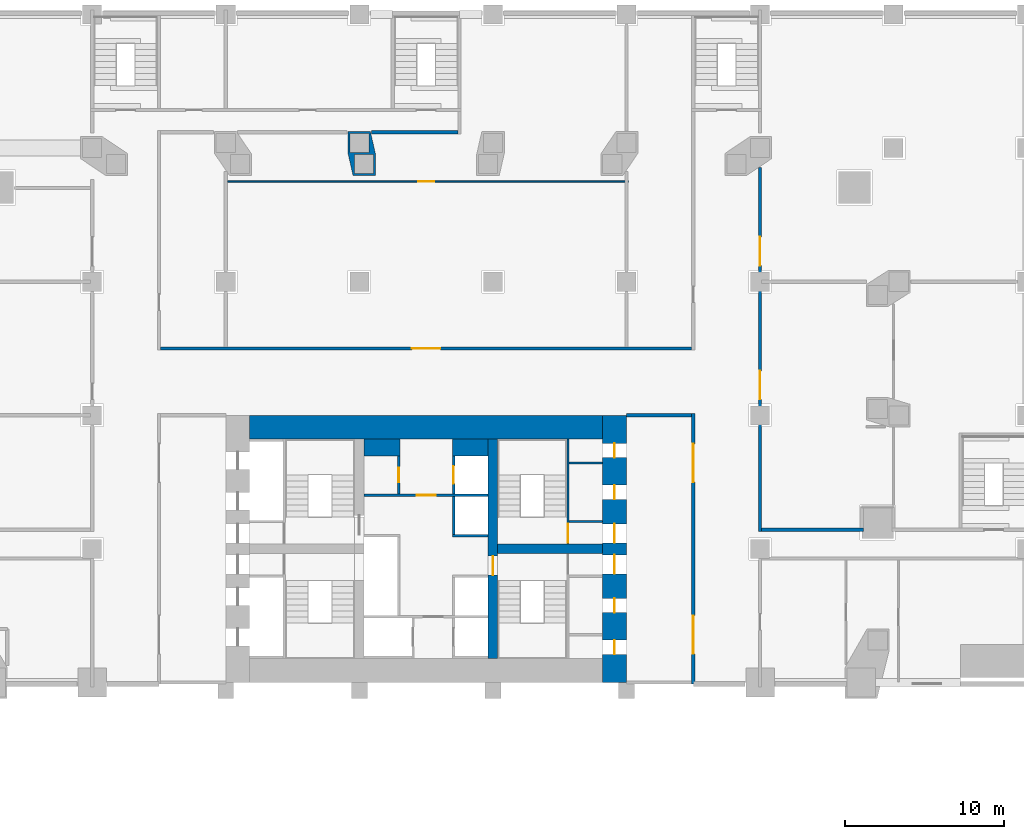
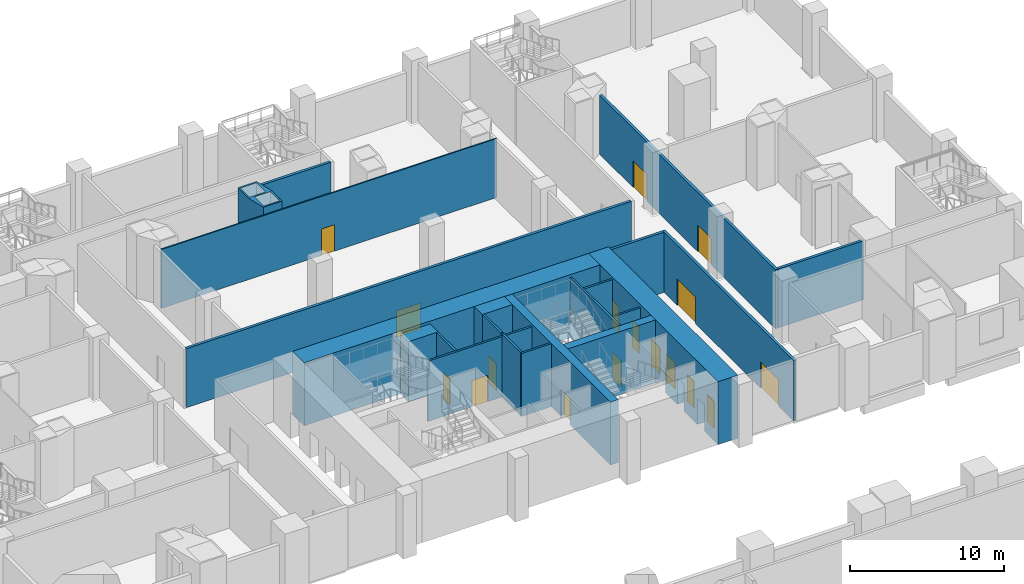
# One storey, part 7 of 16: 22 walls, 17 doors, 17 openings.
"""IFC4 building model written with IfcOpenShell, lengths in metres."""

from ifc_helpers import new_model, si_unit, direction, frame, frame_2d, origin, place, context, subcontext, project, spatial, polyline, rectangle, outline, extrude, material, layer, layer_set, type_object, element, fill, save


model = new_model("IFC4")

# Units and contexts
model_context = context("Model", 3, precision=1e-05, world=origin(), true_north=direction((0.0, 1.0)))
body_context = subcontext(model_context, "Body", "Model", "MODEL_VIEW")
ifc_project = project(units=[si_unit("LENGTHUNIT", "METRE"), si_unit("AREAUNIT", "SQUARE_METRE"), si_unit("VOLUMEUNIT", "CUBIC_METRE"), si_unit("PLANEANGLEUNIT", "RADIAN"), si_unit("MASSUNIT", "GRAM", prefix="KILO")], contexts=[model_context])

# Site, building, storey
site_placement = place(None, origin())
site = spatial("IfcSite", under=ifc_project, at=site_placement, CompositionType="ELEMENT")
building_placement = place(site_placement, origin())
building = spatial("IfcBuilding", under=site, at=building_placement, Name="Marenta Gate Hotel Tower", CompositionType="ELEMENT")
storey_placement = place(building_placement, frame((0.0, 0.0, 21.0)))
storey = spatial("IfcBuildingStorey", under=building, at=storey_placement, Name="L03", CompositionType="ELEMENT", Elevation=21.0)

# Wall, openings, doors
ifc_material_1 = material(Name="Concrete blockwork", Category="masonry")
ifc_layer_1 = layer(ifc_material_1, 0.199951171875)
ifc_layer_set_1 = layer_set([ifc_layer_1], Name="Concrete blockwork")
wall_type_1 = type_object("IfcWallType", Name="Core boundary wall 200 REI 180", PredefinedType="PARTITIONING", material=ifc_layer_set_1)
wall_1_placement = place(storey_placement, frame((16.800048828125, -0.10009765625, 0.0), z_axis=(0.0, 0.0, 1.0), x_axis=(0.0, 1.0, 0.0)))
wall_1 = element("IfcWall", 1, at=wall_1_placement, inside=storey, type_object=wall_type_1, Name="L03-CP-BW-E", PredefinedType="PARTITIONING", context=body_context, shape_type="SweptSolid", body=[
    extrude(rectangle(XDim=17.0, YDim=0.199951171875, at=frame_2d((8.5, 0.0))), origin(), (0.0, 0.0, 1.0), 4.780029296875),
])
opening_1_placement = place(wall_1_placement, frame((1.89990234375, 0.0, 0.0)))
opening_1 = element("IfcOpeningElement", 2, at=opening_1_placement, cuts=wall_1, Name="Opening ED-Ea-A", PredefinedType="OPENING", context=body_context, shape_type="SweptSolid", body=[
    extrude(rectangle(XDim=2.39990234375, YDim=2.10009765625, at=frame_2d((1.199951171875, 1.050048828125))), frame((0.0, 0.10009765625, 0.0), z_axis=(0.0, -1.0, 0.0), x_axis=(1.0, 0.0, 0.0)), (0.0, 0.0, 1.0), 0.199951171875),
])
opening_2_placement = place(wall_1_placement, frame((12.699951171875, 0.0, 0.0)))
opening_2 = element("IfcOpeningElement", 3, at=opening_2_placement, cuts=wall_1, Name="Opening ED-Eb-A", PredefinedType="OPENING", context=body_context, shape_type="SweptSolid", body=[
    extrude(rectangle(XDim=2.39990234375, YDim=2.10009765625, at=frame_2d((1.199951171875, 1.050048828125))), frame((0.0, 0.10009765625, 0.0), z_axis=(0.0, -1.0, 0.0), x_axis=(1.0, 0.0, 0.0)), (0.0, 0.0, 1.0), 0.199951171875),
])
ifc_material_2 = material(Name="Steel", Category="steel")
door_type_1 = type_object("IfcDoorType", Name="Core lobby entrance door 2400x2100 EI 60", OperationType="DOUBLE_DOOR_SINGLE_SWING", PredefinedType="DOOR", material=ifc_material_2)
door_1_placement = place(opening_1_placement, origin())
door_1 = element("IfcDoor", 4, at=door_1_placement, inside=storey, type_object=door_type_1, Name="ED-Ea-A", OperationType="DOUBLE_DOOR_SINGLE_SWING", OverallHeight=2.10009765625, OverallWidth=2.39990234375, PredefinedType="DOOR", context=body_context, shape_type="SweptSolid", body=[
    extrude(rectangle(XDim=2.39990234375, YDim=2.10009765625, at=frame_2d((1.199951171875, 1.050048828125))), frame((0.0, 0.02490234375, 0.0), z_axis=(0.0, -1.0, 0.0), x_axis=(1.0, 0.0, 0.0)), (0.0, 0.0, 1.0), 0.050048828125),
])
fill(opening_1, door_1)
door_2_placement = place(opening_2_placement, origin())
door_2 = element("IfcDoor", 5, at=door_2_placement, inside=storey, type_object=door_type_1, Name="ED-Eb-A", OperationType="DOUBLE_DOOR_SINGLE_SWING", OverallHeight=2.10009765625, OverallWidth=2.39990234375, PredefinedType="DOOR", context=body_context, shape_type="SweptSolid", body=[
    extrude(rectangle(XDim=2.39990234375, YDim=2.10009765625, at=frame_2d((1.199951171875, 1.050048828125))), frame((0.0, 0.02490234375, 0.0), z_axis=(0.0, -1.0, 0.0), x_axis=(1.0, 0.0, 0.0)), (0.0, 0.0, 1.0), 0.050048828125),
])
fill(opening_2, door_2)

# Wall
wall_2_placement = place(storey_placement, frame((12.60009765625, 16.800048828125, 0.0), z_axis=(0.0, 0.0, 1.0), x_axis=(1.0, 0.0, 0.0)))
element("IfcWall", 6, at=wall_2_placement, inside=storey, type_object=wall_type_1, Name="L03-CP-EW-EN", PredefinedType="PARTITIONING", context=body_context, shape_type="SweptSolid", body=[
    extrude(rectangle(XDim=4.099853515625, YDim=0.199951171875, at=frame_2d((2.0498046875, 0.0))), origin(), (0.0, 0.0, 1.0), 4.780029296875),
])

# Wall, opening, door
ifc_material_3 = material(Name="Concrete blockwork", Category="masonry")
ifc_layer_2 = layer(ifc_material_3, 0.14990234375)
ifc_layer_set_2 = layer_set([ifc_layer_2], Name="Concrete blockwork")
wall_type_2 = type_object("IfcWallType", Name="Core lobby partition 150 REI 180", PredefinedType="PARTITIONING", material=ifc_layer_set_2)
wall_3_placement = place(storey_placement, frame((-3.89990234375, 11.77490234375, 0.0), z_axis=(0.0, 0.0, 1.0), x_axis=(1.0, 0.0, 0.0)))
wall_3 = element("IfcWall", 7, at=wall_3_placement, inside=storey, type_object=wall_type_2, Name="L03-CP-CW-N", PredefinedType="PARTITIONING", context=body_context, shape_type="SweptSolid", body=[
    extrude(rectangle(XDim=7.7998046875, YDim=0.14990234375, at=frame_2d((3.89990234375, 0.0))), origin(), (0.0, 0.0, 1.0), 4.780029296875),
])
opening_3_placement = place(wall_3_placement, frame((3.300048828125, 0.0, 0.0)))
opening_3 = element("IfcOpeningElement", 8, at=opening_3_placement, cuts=wall_3, Name="Opening FD-FFN", PredefinedType="OPENING", context=body_context, shape_type="SweptSolid", body=[
    extrude(rectangle(XDim=1.199951171875, YDim=2.10009765625, at=frame_2d((0.60009765625, 1.050048828125))), frame((0.0, 0.074951171875, 0.0), z_axis=(0.0, -1.0, 0.0), x_axis=(1.0, 0.0, 0.0)), (0.0, 0.0, 1.0), 0.14990234375),
])
ifc_material_4 = material(Name="Steel", Category="steel")
door_type_2 = type_object("IfcDoorType", Name="Core lobby door 1200x2100 FD60", OperationType="SINGLE_SWING_LEFT", PredefinedType="DOOR", material=ifc_material_4)
door_3_placement = place(opening_3_placement, origin())
door_3 = element("IfcDoor", 9, at=door_3_placement, inside=storey, type_object=door_type_2, Name="FD-FFN", OperationType="SINGLE_SWING_LEFT", OverallHeight=2.10009765625, OverallWidth=1.199951171875, PredefinedType="DOOR", context=body_context, shape_type="SweptSolid", body=[
    extrude(rectangle(XDim=1.199951171875, YDim=2.10009765625, at=frame_2d((0.60009765625, 1.050048828125))), frame((0.0, 0.02490234375, 0.0), z_axis=(0.0, -1.0, 0.0), x_axis=(1.0, 0.0, 0.0)), (0.0, 0.0, 1.0), 0.050048828125),
])
fill(opening_3, door_3)

# Walls
ifc_material_5 = material(Name="Concrete blockwork", Category="masonry")
ifc_layer_3 = layer(ifc_material_5, 1.050048828125)
ifc_layer_set_3 = layer_set([ifc_layer_3], Name="Concrete blockwork")
wall_type_3 = type_object("IfcWallType", Name="Core room partition 1050 REI 180", PredefinedType="PARTITIONING", material=ifc_layer_set_3)
wall_4_placement = place(storey_placement, frame((-3.89990234375, 14.77490234375, 0.0), z_axis=(0.0, 0.0, 1.0), x_axis=(1.0, 0.0, 0.0)))
element("IfcWall", 10, at=wall_4_placement, inside=storey, type_object=wall_type_3, Name="L03-CP-CW-W-riser-N", PredefinedType="PARTITIONING", context=body_context, shape_type="SweptSolid", body=[
    extrude(rectangle(XDim=2.25, YDim=1.050048828125, at=frame_2d((1.125, 0.0))), origin(), (0.0, 0.0, 1.0), 4.780029296875),
])
ifc_material_6 = material(Name="Concrete blockwork", Category="masonry")
ifc_layer_4 = layer(ifc_material_6, 0.14990234375)
ifc_layer_set_4 = layer_set([ifc_layer_4], Name="Concrete blockwork")
wall_type_4 = type_object("IfcWallType", Name="Core room partition 150 REI 180", PredefinedType="PARTITIONING", material=ifc_layer_set_4)
for number, where, z_axis, x_axis, name in (
    (11, (9.0, 10.125, 0.0), (0.0, 0.0, 1.0), (1.0, 0.0, 0.0), "L03-CP-SW-EN-2"),
    (12, (9.0, 13.800048828125, 0.0), (0.0, 0.0, 1.0), (1.0, 0.0, 0.0), "L03-CP-RW-EN-1"),
):
    element("IfcWall", number, at=place(storey_placement, frame(where, z_axis=z_axis, x_axis=x_axis)), inside=storey, type_object=wall_type_4, Name=name, PredefinedType="PARTITIONING", context=body_context, shape_type="SweptSolid", body=[
        extrude(rectangle(XDim=2.10009765625, YDim=0.14990234375, at=frame_2d((1.050048828125, 0.0))), origin(), (0.0, 0.0, 1.0), 4.780029296875),
    ])

# Wall, opening, door
wall_5_placement = place(storey_placement, frame((-1.72509765625, 11.85009765625, 0.0), z_axis=(0.0, 0.0, 1.0), x_axis=(0.0, 1.0, 0.0)))
wall_5 = element("IfcWall", 13, at=wall_5_placement, inside=storey, type_object=wall_type_4, Name="L03-CP-CW-W-riser-front", PredefinedType="PARTITIONING", context=body_context, shape_type="SweptSolid", body=[
    extrude(rectangle(XDim=2.39990234375, YDim=0.14990234375, at=frame_2d((1.199951171875, 0.0))), origin(), (0.0, 0.0, 1.0), 4.780029296875),
])
opening_4_placement = place(wall_5_placement, frame((0.75, 0.0, 0.0)))
opening_4 = element("IfcOpeningElement", 14, at=opening_4_placement, cuts=wall_5, Name="Opening RD-CRISER", PredefinedType="OPENING", context=body_context, shape_type="SweptSolid", body=[
    extrude(rectangle(XDim=0.89990234375, YDim=2.10009765625, at=frame_2d((0.449951171875, 1.050048828125))), frame((0.0, 0.074951171875, 0.0), z_axis=(0.0, -1.0, 0.0), x_axis=(1.0, 0.0, 0.0)), (0.0, 0.0, 1.0), 0.14990234375),
])
ifc_material_7 = material(Name="Steel", Category="steel")
door_type_3 = type_object("IfcDoorType", Name="Core riser door 900x2100 FD60", OperationType="SINGLE_SWING_LEFT", PredefinedType="DOOR", material=ifc_material_7)
door_4_placement = place(opening_4_placement, origin())
door_4 = element("IfcDoor", 15, at=door_4_placement, inside=storey, type_object=door_type_3, Name="RD-CRISER", OperationType="SINGLE_SWING_LEFT", OverallHeight=2.10009765625, OverallWidth=0.89990234375, PredefinedType="DOOR", context=body_context, shape_type="SweptSolid", body=[
    extrude(rectangle(XDim=0.89990234375, YDim=2.10009765625, at=frame_2d((0.449951171875, 1.050048828125))), frame((0.0, 0.02490234375, 0.0), z_axis=(0.0, -1.0, 0.0), x_axis=(1.0, 0.0, 0.0)), (0.0, 0.0, 1.0), 0.050048828125),
])
fill(opening_4, door_4)

# Wall
ifc_material_8 = material(Name="Concrete C40", Category="concrete")
ifc_layer_5 = layer(ifc_material_8, 1.050048828125)
ifc_layer_set_5 = layer_set([ifc_layer_5], Name="Concrete C40")
wall_type_5 = type_object("IfcWallType", Name="Core shaft wall 1050 REI 180", PredefinedType="SHEAR", material=ifc_layer_set_5)
wall_6_placement = place(storey_placement, frame((1.64990234375, 14.77490234375, 0.0), z_axis=(0.0, 0.0, 1.0), x_axis=(1.0, 0.0, 0.0)))
element("IfcWall", 16, at=wall_6_placement, inside=storey, type_object=wall_type_5, Name="L03-SHF-CE-N-top", PredefinedType="SHEAR", context=body_context, shape_type="SweptSolid", body=[
    extrude(rectangle(XDim=2.25, YDim=1.050048828125, at=frame_2d((1.125, 0.0))), origin(), (0.0, 0.0, 1.0), 5.0),
])

# Wall, opening, door
ifc_material_9 = material(Name="Concrete C40", Category="concrete")
ifc_layer_6 = layer(ifc_material_9, 0.14990234375)
ifc_layer_set_6 = layer_set([ifc_layer_6], Name="Concrete C40")
wall_type_6 = type_object("IfcWallType", Name="Core shaft wall 150 REI 180", PredefinedType="SHEAR", material=ifc_layer_set_6)
wall_7_placement = place(storey_placement, frame((1.72509765625, 11.85009765625, 0.0), z_axis=(0.0, 0.0, 1.0), x_axis=(0.0, 1.0, 0.0)))
wall_7 = element("IfcWall", 17, at=wall_7_placement, inside=storey, type_object=wall_type_6, Name="L03-SHF-CE-N-front2", PredefinedType="SHEAR", context=body_context, shape_type="SweptSolid", body=[
    extrude(rectangle(XDim=2.39990234375, YDim=0.14990234375, at=frame_2d((1.199951171875, 0.0))), origin(), (0.0, 0.0, 1.0), 5.0),
])
opening_5_placement = place(wall_7_placement, frame((0.64990234375, 0.0, 0.0)))
opening_5 = element("IfcOpeningElement", 18, at=opening_5_placement, cuts=wall_7, Name="Opening LD-FF2", PredefinedType="OPENING", context=body_context, shape_type="SweptSolid", body=[
    extrude(rectangle(XDim=1.10009765625, YDim=2.10009765625, at=frame_2d((0.550048828125, 1.050048828125))), frame((0.0, 0.074951171875, 0.0), z_axis=(0.0, -1.0, 0.0), x_axis=(1.0, 0.0, 0.0)), (0.0, 0.0, 1.0), 0.14990234375),
])
ifc_material_10 = material(Name="Steel", Category="steel")
door_type_4 = type_object("IfcDoorType", Name="Core lift landing door 1100x2100 E 60", OperationType="SLIDING_TO_LEFT", PredefinedType="DOOR", material=ifc_material_10)
door_5_placement = place(opening_5_placement, origin())
door_5 = element("IfcDoor", 19, at=door_5_placement, inside=storey, type_object=door_type_4, Name="LD-FF2", OperationType="SLIDING_TO_LEFT", OverallHeight=2.10009765625, OverallWidth=1.10009765625, PredefinedType="DOOR", context=body_context, shape_type="SweptSolid", body=[
    extrude(rectangle(XDim=1.10009765625, YDim=2.10009765625, at=frame_2d((0.550048828125, 1.050048828125))), frame((0.0, 0.02490234375, 0.0), z_axis=(0.0, -1.0, 0.0), x_axis=(1.0, 0.0, 0.0)), (0.0, 0.0, 1.0), 0.050048828125),
])
fill(opening_5, door_5)

# Walls
wall_8_placement = place(storey_placement, frame((1.64990234375, 9.22509765625, 0.0), z_axis=(0.0, 0.0, 1.0), x_axis=(1.0, 0.0, 0.0)))
element("IfcWall", 20, at=wall_8_placement, inside=storey, type_object=wall_type_6, Name="L03-SHF-CE-sep2", PredefinedType="SHEAR", context=body_context, shape_type="SweptSolid", body=[
    extrude(rectangle(XDim=2.25, YDim=0.14990234375, at=frame_2d((1.125, 0.0))), origin(), (0.0, 0.0, 1.0), 5.0),
])
wall_9_placement = place(storey_placement, frame((1.72509765625, 9.300048828125, 0.0), z_axis=(0.0, 0.0, 1.0), x_axis=(0.0, 1.0, 0.0)))
element("IfcWall", 21, at=wall_9_placement, inside=storey, type_object=wall_type_6, Name="L03-SHF-CE-front-2", PredefinedType="SHEAR", context=body_context, shape_type="SweptSolid", body=[
    extrude(rectangle(XDim=2.39990234375, YDim=0.14990234375, at=frame_2d((1.199951171875, 0.0))), origin(), (0.0, 0.0, 1.0), 5.0),
])

# Wall, opening, door
ifc_material_11 = material(Name="Concrete C40", Category="concrete")
ifc_layer_7 = layer(ifc_material_11, 0.14990234375)
ifc_layer_set_7 = layer_set([ifc_layer_7], Name="Concrete C40")
wall_type_7 = type_object("IfcWallType", Name="Core stair enclosure wall 150 REI 180", PredefinedType="SHEAR", material=ifc_layer_set_7)
wall_10_placement = place(storey_placement, frame((8.925048828125, 8.699951171875, 0.0), z_axis=(0.0, 0.0, 1.0), x_axis=(0.0, 1.0, 0.0)))
wall_10 = element("IfcWall", 22, at=wall_10_placement, inside=storey, type_object=wall_type_7, Name="L03-SHF-SW-EN-3", PredefinedType="SHEAR", context=body_context, shape_type="SweptSolid", body=[
    extrude(rectangle(XDim=6.60009765625, YDim=0.14990234375, at=frame_2d((3.300048828125, 0.0))), origin(), (0.0, 0.0, 1.0), 4.780029296875),
])
opening_6_placement = place(wall_10_placement, frame((0.074951171875, 0.0, 0.0)))
opening_6 = element("IfcOpeningElement", 23, at=opening_6_placement, cuts=wall_10, Name="Opening SD-EN", PredefinedType="OPENING", context=body_context, shape_type="SweptSolid", body=[
    extrude(rectangle(XDim=1.199951171875, YDim=2.10009765625, at=frame_2d((0.60009765625, 1.050048828125))), frame((0.0, 0.074951171875, 0.0), z_axis=(0.0, -1.0, 0.0), x_axis=(1.0, 0.0, 0.0)), (0.0, 0.0, 1.0), 0.14990234375),
])
ifc_material_12 = material(Name="Steel", Category="steel")
door_type_5 = type_object("IfcDoorType", Name="Core stair door 1200x2100 FD60", OperationType="SINGLE_SWING_LEFT", PredefinedType="DOOR", material=ifc_material_12)
door_6_placement = place(opening_6_placement, origin())
door_6 = element("IfcDoor", 24, at=door_6_placement, inside=storey, type_object=door_type_5, Name="SD-EN", OperationType="SINGLE_SWING_LEFT", OverallHeight=2.10009765625, OverallWidth=1.199951171875, PredefinedType="DOOR", context=body_context, shape_type="SweptSolid", body=[
    extrude(rectangle(XDim=1.199951171875, YDim=2.10009765625, at=frame_2d((0.60009765625, 1.050048828125))), frame((0.0, 0.02490234375, 0.0), z_axis=(0.0, -1.0, 0.0), x_axis=(1.0, 0.0, 0.0)), (0.0, 0.0, 1.0), 0.050048828125),
])
fill(opening_6, door_6)

# Wall, openings, doors
ifc_material_13 = material(Name="Concrete C80", Category="concrete")
ifc_layer_8 = layer(ifc_material_13, 1.5)
ifc_layer_set_8 = layer_set([ifc_layer_8], Name="Concrete C80")
wall_type_8 = type_object("IfcWallType", Name="Core wall 1500 C80", PredefinedType="SHEAR", material=ifc_layer_set_8)
wall_11_placement = place(storey_placement, frame((11.85009765625, 0.0, 0.0), z_axis=(0.0, 0.0, 1.0), x_axis=(0.0, 1.0, 0.0)))
wall_11 = element("IfcWall", 25, at=wall_11_placement, inside=storey, type_object=wall_type_8, Name="L03-CORE-E", PredefinedType="SHEAR", context=body_context, shape_type="SweptSolid", body=[
    extrude(rectangle(XDim=16.800048828125, YDim=1.5, at=frame_2d((8.39990234375, 0.0))), origin(), (0.0, 0.0, 1.0), 5.0),
])
opening_7_placement = place(wall_11_placement, frame((1.762451171875, 0.0, 0.0)))
opening_7 = element("IfcOpeningElement", 26, at=opening_7_placement, cuts=wall_11, Name="Opening RD-ES-1", PredefinedType="OPENING", context=body_context, shape_type="SweptSolid", body=[
    extrude(rectangle(XDim=0.89990234375, YDim=2.10009765625, at=frame_2d((0.449951171875, 1.050048828125))), frame((0.0, 0.75, 0.0), z_axis=(0.0, -1.0, 0.0), x_axis=(1.0, 0.0, 0.0)), (0.0, 0.0, 1.0), 1.5),
])
opening_8_placement = place(wall_11_placement, frame((4.387451171875, 0.0, 0.0)))
opening_8 = element("IfcOpeningElement", 27, at=opening_8_placement, cuts=wall_11, Name="Opening RD-ES-2", PredefinedType="OPENING", context=body_context, shape_type="SweptSolid", body=[
    extrude(rectangle(XDim=0.89990234375, YDim=2.10009765625, at=frame_2d((0.449951171875, 1.050048828125))), frame((0.0, 0.75, 0.0), z_axis=(0.0, -1.0, 0.0), x_axis=(1.0, 0.0, 0.0)), (0.0, 0.0, 1.0), 1.5),
])
opening_9_placement = place(wall_11_placement, frame((6.824951171875, 0.0, 0.0)))
opening_9 = element("IfcOpeningElement", 28, at=opening_9_placement, cuts=wall_11, Name="Opening PD-ES", PredefinedType="OPENING", context=body_context, shape_type="SweptSolid", body=[
    extrude(rectangle(XDim=1.199951171875, YDim=2.10009765625, at=frame_2d((0.60009765625, 1.050048828125))), frame((0.0, 0.75, 0.0), z_axis=(0.0, -1.0, 0.0), x_axis=(1.0, 0.0, 0.0)), (0.0, 0.0, 1.0), 1.5),
])
opening_10_placement = place(wall_11_placement, frame((14.137451171875, 0.0, 0.0)))
opening_10 = element("IfcOpeningElement", 29, at=opening_10_placement, cuts=wall_11, Name="Opening RD-EN-1", PredefinedType="OPENING", context=body_context, shape_type="SweptSolid", body=[
    extrude(rectangle(XDim=0.89990234375, YDim=2.10009765625, at=frame_2d((0.449951171875, 1.050048828125))), frame((0.0, 0.75, 0.0), z_axis=(0.0, -1.0, 0.0), x_axis=(1.0, 0.0, 0.0)), (0.0, 0.0, 1.0), 1.5),
])
opening_11_placement = place(wall_11_placement, frame((11.512451171875, 0.0, 0.0)))
opening_11 = element("IfcOpeningElement", 30, at=opening_11_placement, cuts=wall_11, Name="Opening RD-EN-2", PredefinedType="OPENING", context=body_context, shape_type="SweptSolid", body=[
    extrude(rectangle(XDim=0.89990234375, YDim=2.10009765625, at=frame_2d((0.449951171875, 1.050048828125))), frame((0.0, 0.75, 0.0), z_axis=(0.0, -1.0, 0.0), x_axis=(1.0, 0.0, 0.0)), (0.0, 0.0, 1.0), 1.5),
])
opening_12_placement = place(wall_11_placement, frame((8.77490234375, 0.0, 0.0)))
opening_12 = element("IfcOpeningElement", 31, at=opening_12_placement, cuts=wall_11, Name="Opening PD-EN", PredefinedType="OPENING", context=body_context, shape_type="SweptSolid", body=[
    extrude(rectangle(XDim=1.199951171875, YDim=2.10009765625, at=frame_2d((0.60009765625, 1.050048828125))), frame((0.0, 0.75, 0.0), z_axis=(0.0, -1.0, 0.0), x_axis=(1.0, 0.0, 0.0)), (0.0, 0.0, 1.0), 1.5),
])
door_7_placement = place(opening_9_placement, origin())
door_7 = element("IfcDoor", 32, at=door_7_placement, inside=storey, type_object=door_type_2, Name="PD-ES", OperationType="SINGLE_SWING_LEFT", OverallHeight=2.10009765625, OverallWidth=1.199951171875, PredefinedType="DOOR", context=body_context, shape_type="SweptSolid", body=[
    extrude(rectangle(XDim=1.199951171875, YDim=2.10009765625, at=frame_2d((0.60009765625, 1.050048828125))), frame((0.0, 0.02490234375, 0.0), z_axis=(0.0, -1.0, 0.0), x_axis=(1.0, 0.0, 0.0)), (0.0, 0.0, 1.0), 0.050048828125),
])
fill(opening_9, door_7)
door_8_placement = place(opening_12_placement, origin())
door_8 = element("IfcDoor", 33, at=door_8_placement, inside=storey, type_object=door_type_2, Name="PD-EN", OperationType="SINGLE_SWING_LEFT", OverallHeight=2.10009765625, OverallWidth=1.199951171875, PredefinedType="DOOR", context=body_context, shape_type="SweptSolid", body=[
    extrude(rectangle(XDim=1.199951171875, YDim=2.10009765625, at=frame_2d((0.60009765625, 1.050048828125))), frame((0.0, 0.02490234375, 0.0), z_axis=(0.0, -1.0, 0.0), x_axis=(1.0, 0.0, 0.0)), (0.0, 0.0, 1.0), 0.050048828125),
])
fill(opening_12, door_8)
ifc_material_14 = material(Name="Steel", Category="steel")
door_type_6 = type_object("IfcDoorType", Name="Core service room door 900x2100 FD30S", OperationType="SINGLE_SWING_LEFT", PredefinedType="DOOR", material=ifc_material_14)
door_9_placement = place(opening_7_placement, origin())
door_9 = element("IfcDoor", 34, at=door_9_placement, inside=storey, type_object=door_type_6, Name="RD-ES-1", OperationType="SINGLE_SWING_LEFT", OverallHeight=2.10009765625, OverallWidth=0.89990234375, PredefinedType="DOOR", context=body_context, shape_type="SweptSolid", body=[
    extrude(rectangle(XDim=0.89990234375, YDim=2.10009765625, at=frame_2d((0.449951171875, 1.050048828125))), frame((0.0, 0.02490234375, 0.0), z_axis=(0.0, -1.0, 0.0), x_axis=(1.0, 0.0, 0.0)), (0.0, 0.0, 1.0), 0.050048828125),
])
fill(opening_7, door_9)
door_10_placement = place(opening_8_placement, origin())
door_10 = element("IfcDoor", 35, at=door_10_placement, inside=storey, type_object=door_type_6, Name="RD-ES-2", OperationType="SINGLE_SWING_LEFT", OverallHeight=2.10009765625, OverallWidth=0.89990234375, PredefinedType="DOOR", context=body_context, shape_type="SweptSolid", body=[
    extrude(rectangle(XDim=0.89990234375, YDim=2.10009765625, at=frame_2d((0.449951171875, 1.050048828125))), frame((0.0, 0.02490234375, 0.0), z_axis=(0.0, -1.0, 0.0), x_axis=(1.0, 0.0, 0.0)), (0.0, 0.0, 1.0), 0.050048828125),
])
fill(opening_8, door_10)
door_11_placement = place(opening_10_placement, origin())
door_11 = element("IfcDoor", 36, at=door_11_placement, inside=storey, type_object=door_type_6, Name="RD-EN-1", OperationType="SINGLE_SWING_LEFT", OverallHeight=2.10009765625, OverallWidth=0.89990234375, PredefinedType="DOOR", context=body_context, shape_type="SweptSolid", body=[
    extrude(rectangle(XDim=0.89990234375, YDim=2.10009765625, at=frame_2d((0.449951171875, 1.050048828125))), frame((0.0, 0.02490234375, 0.0), z_axis=(0.0, -1.0, 0.0), x_axis=(1.0, 0.0, 0.0)), (0.0, 0.0, 1.0), 0.050048828125),
])
fill(opening_10, door_11)
door_12_placement = place(opening_11_placement, origin())
door_12 = element("IfcDoor", 37, at=door_12_placement, inside=storey, type_object=door_type_6, Name="RD-EN-2", OperationType="SINGLE_SWING_LEFT", OverallHeight=2.10009765625, OverallWidth=0.89990234375, PredefinedType="DOOR", context=body_context, shape_type="SweptSolid", body=[
    extrude(rectangle(XDim=0.89990234375, YDim=2.10009765625, at=frame_2d((0.449951171875, 1.050048828125))), frame((0.0, 0.02490234375, 0.0), z_axis=(0.0, -1.0, 0.0), x_axis=(1.0, 0.0, 0.0)), (0.0, 0.0, 1.0), 0.050048828125),
])
fill(opening_11, door_12)

# Wall
wall_12_placement = place(storey_placement, frame((-11.10009765625, 16.050048828125, 0.0), z_axis=(0.0, 0.0, 1.0), x_axis=(1.0, 0.0, 0.0)))
element("IfcWall", 38, at=wall_12_placement, inside=storey, type_object=wall_type_8, Name="L03-CORE-N", PredefinedType="SHEAR", context=body_context, shape_type="SweptSolid", body=[
    extrude(rectangle(XDim=22.2001953125, YDim=1.5, at=frame_2d((11.10009765625, 0.0))), origin(), (0.0, 0.0, 1.0), 5.0),
])

# Wall, opening, door
ifc_material_15 = material(Name="Concrete C80", Category="concrete")
ifc_layer_9 = layer(ifc_material_15, 0.60009765625)
ifc_layer_set_9 = layer_set([ifc_layer_9], Name="Concrete C80")
wall_type_9 = type_object("IfcWallType", Name="Core web 600 C80", PredefinedType="SHEAR", material=ifc_layer_set_9)
wall_13_placement = place(storey_placement, frame((4.199951171875, 1.5, 0.0), z_axis=(0.0, 0.0, 1.0), x_axis=(0.0, 1.0, 0.0)))
wall_13 = element("IfcWall", 39, at=wall_13_placement, inside=storey, type_object=wall_type_9, Name="L03-CORE-W2", PredefinedType="SHEAR", context=body_context, shape_type="SweptSolid", body=[
    extrude(rectangle(XDim=13.800048828125, YDim=0.60009765625, at=frame_2d((6.89990234375, 0.0))), origin(), (0.0, 0.0, 1.0), 5.0),
])
opening_13_placement = place(wall_13_placement, frame((5.25, 0.0, 0.0)))
opening_13 = element("IfcOpeningElement", 40, at=opening_13_placement, cuts=wall_13, Name="Opening WD-E", PredefinedType="OPENING", context=body_context, shape_type="SweptSolid", body=[
    extrude(rectangle(XDim=1.199951171875, YDim=2.10009765625, at=frame_2d((0.60009765625, 1.050048828125))), frame((0.0, 0.300048828125, 0.0), z_axis=(0.0, -1.0, 0.0), x_axis=(1.0, 0.0, 0.0)), (0.0, 0.0, 1.0), 0.60009765625),
])
door_13_placement = place(opening_13_placement, origin())
door_13 = element("IfcDoor", 41, at=door_13_placement, inside=storey, type_object=door_type_5, Name="WD-E", OperationType="SINGLE_SWING_LEFT", OverallHeight=2.10009765625, OverallWidth=1.199951171875, PredefinedType="DOOR", context=body_context, shape_type="SweptSolid", body=[
    extrude(rectangle(XDim=1.199951171875, YDim=2.10009765625, at=frame_2d((0.60009765625, 1.050048828125))), frame((0.0, 0.02490234375, 0.0), z_axis=(0.0, -1.0, 0.0), x_axis=(1.0, 0.0, 0.0)), (0.0, 0.0, 1.0), 0.050048828125),
])
fill(opening_13, door_13)

# Walls
wall_14_placement = place(storey_placement, frame((4.5, 8.39990234375, 0.0), z_axis=(0.0, 0.0, 1.0), x_axis=(1.0, 0.0, 0.0)))
element("IfcWall", 42, at=wall_14_placement, inside=storey, type_object=wall_type_9, Name="L03-CORE-W4", PredefinedType="SHEAR", context=body_context, shape_type="SweptSolid", body=[
    extrude(rectangle(XDim=6.60009765625, YDim=0.60009765625, at=frame_2d((3.300048828125, 0.0))), origin(), (0.0, 0.0, 1.0), 5.0),
])
ifc_material_16 = material(Name="Concrete C70", Category="concrete")
ifc_layer_10 = layer(ifc_material_16, 1.60009765625)
ifc_layer_set_10 = layer_set([ifc_layer_10], Name="Concrete C70")
wall_type_10 = type_object("IfcWallType", Name="Pier wall board-marked concrete C70", PredefinedType="SOLIDWALL", material=ifc_layer_set_10)
wall_15_placement = place(storey_placement, origin())
element("IfcWall", 43, at=wall_15_placement, inside=storey, type_object=wall_type_10, Name="L03-PIER-6", PredefinedType="SOLIDWALL", context=body_context, shape_type="SweptSolid", body=[
    extrude(outline(polyline([(-4.919921875, 33.306640625), (-4.919921875, 34.639892578125), (-3.504150390625, 34.639892578125), (-3.181396484375, 33.21337890625), (-3.181396484375, 31.8798828125), (-4.59716796875, 31.8798828125), (-4.919921875, 33.306640625)]), holes=[polyline([(-4.50146484375, 32.0), (-3.301513671875, 32.0), (-3.301513671875, 33.199951171875), (-4.50146484375, 33.199951171875), (-4.50146484375, 32.0)]), polyline([(-4.800048828125, 33.320068359375), (-3.60009765625, 33.320068359375), (-3.60009765625, 34.52001953125), (-4.800048828125, 34.52001953125), (-4.800048828125, 33.320068359375)])]), origin(), (0.0, 0.0, 1.0), 5.0),
])

# Wall, openings, doors
ifc_material_17 = material(Name="Gypsum board on steel stud", Category="steel")
ifc_layer_11 = layer(ifc_material_17, 0.199951171875)
ifc_layer_set_11 = layer_set([ifc_layer_11], Name="Gypsum board on steel stud")
wall_type_11 = type_object("IfcWallType", Name="Room corridor wall 200 EI 60", PredefinedType="PARTITIONING", material=ifc_layer_set_11)
wall_16_placement = place(storey_placement, frame((21.0, 9.5, 0.0), z_axis=(0.0, 0.0, 1.0), x_axis=(0.0, 1.0, 0.0)))
wall_16 = element("IfcWall", 44, at=wall_16_placement, inside=storey, type_object=wall_type_11, Name="L03-PTN-W018", PredefinedType="PARTITIONING", context=body_context, shape_type="SweptSolid", body=[
    extrude(rectangle(XDim=22.87109375, YDim=0.199951171875, at=frame_2d((11.435546875, 0.0))), origin(), (0.0, 0.0, 1.0), 4.679931640625),
])
opening_14_placement = place(wall_16_placement, frame((8.300048828125, 0.0, 0.0)))
opening_14 = element("IfcOpeningElement", 45, at=opening_14_placement, cuts=wall_16, Name="Opening S04-11", PredefinedType="OPENING", context=body_context, shape_type="SweptSolid", body=[
    extrude(rectangle(XDim=1.800048828125, YDim=2.10009765625, at=frame_2d((0.89990234375, 1.050048828125))), frame((0.0, 0.10009765625, 0.0), z_axis=(0.0, -1.0, 0.0), x_axis=(1.0, 0.0, 0.0)), (0.0, 0.0, 1.0), 0.199951171875),
])
opening_15_placement = place(wall_16_placement, frame((16.717041015625, 0.0, 0.0)))
opening_15 = element("IfcOpeningElement", 46, at=opening_15_placement, cuts=wall_16, Name="Opening S04-13", PredefinedType="OPENING", context=body_context, shape_type="SweptSolid", body=[
    extrude(rectangle(XDim=1.800048828125, YDim=2.10009765625, at=frame_2d((0.89990234375, 1.050048828125))), frame((0.0, 0.10009765625, 0.0), z_axis=(0.0, -1.0, 0.0), x_axis=(1.0, 0.0, 0.0)), (0.0, 0.0, 1.0), 0.199951171875),
])
ifc_material_18 = material(Name="Timber door leaf", Category="wood")
door_type_7 = type_object("IfcDoorType", Name="Room amenity door 1800x2100 EI 30", OperationType="DOUBLE_DOOR_SINGLE_SWING", PredefinedType="DOOR", material=ifc_material_18)
door_14_placement = place(opening_14_placement, origin())
door_14 = element("IfcDoor", 47, at=door_14_placement, inside=storey, type_object=door_type_7, Name="L03-PD-D011", OperationType="DOUBLE_DOOR_SINGLE_SWING", OverallHeight=2.10009765625, OverallWidth=1.800048828125, PredefinedType="DOOR", context=body_context, shape_type="SweptSolid", body=[
    extrude(rectangle(XDim=1.800048828125, YDim=2.10009765625, at=frame_2d((0.89990234375, 1.050048828125))), frame((0.0, 0.02490234375, 0.0), z_axis=(0.0, -1.0, 0.0), x_axis=(1.0, 0.0, 0.0)), (0.0, 0.0, 1.0), 0.050048828125),
])
fill(opening_14, door_14)
door_15_placement = place(opening_15_placement, origin())
door_15 = element("IfcDoor", 48, at=door_15_placement, inside=storey, type_object=door_type_7, Name="L03-PD-D013", OperationType="DOUBLE_DOOR_SINGLE_SWING", OverallHeight=2.10009765625, OverallWidth=1.800048828125, PredefinedType="DOOR", context=body_context, shape_type="SweptSolid", body=[
    extrude(rectangle(XDim=1.800048828125, YDim=2.10009765625, at=frame_2d((0.89990234375, 1.050048828125))), frame((0.0, 0.02490234375, 0.0), z_axis=(0.0, -1.0, 0.0), x_axis=(1.0, 0.0, 0.0)), (0.0, 0.0, 1.0), 0.050048828125),
])
fill(opening_15, door_15)

# Wall, opening, door
wall_17_placement = place(storey_placement, frame((-16.699951171875, 21.0, 0.0), z_axis=(0.0, 0.0, 1.0), x_axis=(1.0, 0.0, 0.0)))
wall_17 = element("IfcWall", 49, at=wall_17_placement, inside=storey, type_object=wall_type_11, Name="L03-PTN-W058", PredefinedType="PARTITIONING", context=body_context, shape_type="SweptSolid", body=[
    extrude(rectangle(XDim=33.39990234375, YDim=0.199951171875, at=frame_2d((16.699951171875, 0.0))), origin(), (0.0, 0.0, 1.0), 4.679931640625),
])
opening_16_placement = place(wall_17_placement, frame((15.800048828125, 0.0, 0.0)))
opening_16 = element("IfcOpeningElement", 50, at=opening_16_placement, cuts=wall_17, Name="Opening S04-16", PredefinedType="OPENING", context=body_context, shape_type="SweptSolid", body=[
    extrude(rectangle(XDim=1.800048828125, YDim=2.10009765625, at=frame_2d((0.89990234375, 1.050048828125))), frame((0.0, 0.10009765625, 0.0), z_axis=(0.0, -1.0, 0.0), x_axis=(1.0, 0.0, 0.0)), (0.0, 0.0, 1.0), 0.199951171875),
])
door_16_placement = place(opening_16_placement, origin())
door_16 = element("IfcDoor", 51, at=door_16_placement, inside=storey, type_object=door_type_7, Name="L03-PD-D016", OperationType="DOUBLE_DOOR_SINGLE_SWING", OverallHeight=2.10009765625, OverallWidth=1.800048828125, PredefinedType="DOOR", context=body_context, shape_type="SweptSolid", body=[
    extrude(rectangle(XDim=1.800048828125, YDim=2.10009765625, at=frame_2d((0.89990234375, 1.050048828125))), frame((0.0, 0.02490234375, 0.0), z_axis=(0.0, -1.0, 0.0), x_axis=(1.0, 0.0, 0.0)), (0.0, 0.0, 1.0), 0.050048828125),
])
fill(opening_16, door_16)

# Walls
ifc_material_19 = material(Name="Concrete blockwork", Category="masonry")
ifc_layer_12 = layer(ifc_material_19, 0.199951171875)
ifc_layer_set_12 = layer_set([ifc_layer_12], Name="Concrete blockwork")
wall_type_12 = type_object("IfcWallType", Name="Room corridor wall 200 REI 180", PredefinedType="PARTITIONING", material=ifc_layer_set_12)
wall_18_placement = place(storey_placement, frame((21.10009765625, 9.60009765625, 0.0), z_axis=(0.0, 0.0, 1.0), x_axis=(1.0, 0.0, 0.0)))
element("IfcWall", 52, at=wall_18_placement, inside=storey, type_object=wall_type_12, Name="L03-PTN-W038", PredefinedType="PARTITIONING", context=body_context, shape_type="SweptSolid", body=[
    extrude(rectangle(XDim=6.39990234375, YDim=0.199951171875, at=frame_2d((3.199951171875, 0.0))), origin(), (0.0, 0.0, 1.0), 4.679931640625),
])
wall_19_placement = place(storey_placement, frame((-3.444091796875, 34.60009765625, 0.0), z_axis=(0.0, 0.0, 1.0), x_axis=(1.0, 0.0, 0.0)))
element("IfcWall", 53, at=wall_19_placement, inside=storey, type_object=wall_type_12, Name="L03-PTN-W081", PredefinedType="PARTITIONING", context=body_context, shape_type="SweptSolid", body=[
    extrude(rectangle(XDim=5.444091796875, YDim=0.199951171875, at=frame_2d((2.72216796875, 0.0))), origin(), (0.0, 0.0, 1.0), 4.679931640625),
])

# Wall, opening, door
ifc_material_20 = material(Name="Gypsum board on steel stud", Category="steel")
ifc_layer_13 = layer(ifc_material_20, 0.10009765625)
ifc_layer_set_13 = layer_set([ifc_layer_13], Name="Gypsum board on steel stud")
wall_type_13 = type_object("IfcWallType", Name="Room partition 100", PredefinedType="PARTITIONING", material=ifc_layer_set_13)
wall_20_placement = place(storey_placement, frame((-12.5, 31.5, 0.0), z_axis=(0.0, 0.0, 1.0), x_axis=(1.0, 0.0, 0.0)))
wall_20 = element("IfcWall", 54, at=wall_20_placement, inside=storey, type_object=wall_type_13, Name="L03-PTN-W073", PredefinedType="PARTITIONING", context=body_context, shape_type="SweptSolid", body=[
    extrude(rectangle(XDim=25.199951171875, YDim=0.10009765625, at=frame_2d((12.60009765625, 0.0))), origin(), (0.0, 0.0, 1.0), 4.679931640625),
])
opening_17_placement = place(wall_20_placement, frame((12.0, 0.0, 0.0)))
opening_17 = element("IfcOpeningElement", 55, at=opening_17_placement, cuts=wall_20, Name="Opening S04-18", PredefinedType="OPENING", context=body_context, shape_type="SweptSolid", body=[
    extrude(rectangle(XDim=1.0, YDim=2.10009765625, at=frame_2d((0.5, 1.050048828125))), frame((0.0, 0.050048828125, 0.0), z_axis=(0.0, -1.0, 0.0), x_axis=(1.0, 0.0, 0.0)), (0.0, 0.0, 1.0), 0.10009765625),
])
ifc_material_21 = material(Name="Hollow steel door set", Category="steel")
door_type_8 = type_object("IfcDoorType", Name="Room service door 1000x2100", OperationType="NOTDEFINED", PredefinedType="DOOR", material=ifc_material_21)
door_17_placement = place(opening_17_placement, origin())
door_17 = element("IfcDoor", 56, at=door_17_placement, inside=storey, type_object=door_type_8, Name="L03-PD-D018", OperationType="SINGLE_SWING_LEFT", OverallHeight=2.10009765625, OverallWidth=1.0, PredefinedType="DOOR", context=body_context, shape_type="SweptSolid", body=[
    extrude(rectangle(XDim=1.0, YDim=2.10009765625, at=frame_2d((0.5, 1.050048828125))), frame((0.0, 0.02490234375, 0.0), z_axis=(0.0, -1.0, 0.0), x_axis=(1.0, 0.0, 0.0)), (0.0, 0.0, 1.0), 0.050048828125),
])
fill(opening_17, door_17)

save(model, "model.ifc")
